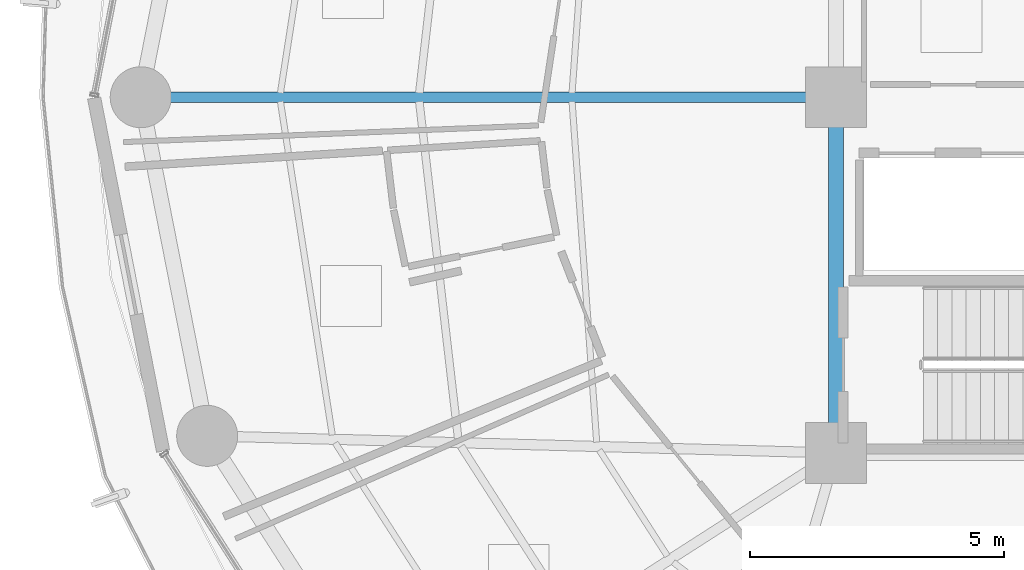
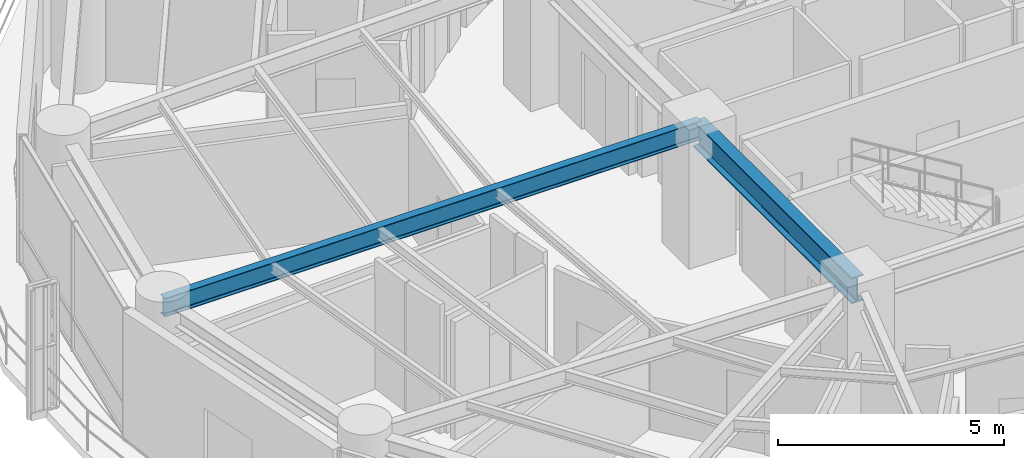
# One storey, part 7 of 27: 2 beams.
"""IFC4 building model written with IfcOpenShell, lengths in metres."""

from ifc_helpers import new_model, si_unit, direction, frame, origin, origin_2d, place, context, subcontext, project, spatial, i_section, extrude, material, material_profile, profile_set, type_object, element, save


model = new_model("IFC4")

# Units and contexts
model_context = context("Model", 3, precision=1e-05, world=origin(), true_north=direction((0.0, 1.0)))
body_context = subcontext(model_context, "Body", "Model", "MODEL_VIEW")
ifc_project = project(units=[si_unit("LENGTHUNIT", "METRE"), si_unit("AREAUNIT", "SQUARE_METRE"), si_unit("VOLUMEUNIT", "CUBIC_METRE"), si_unit("PLANEANGLEUNIT", "RADIAN"), si_unit("MASSUNIT", "GRAM", prefix="KILO")], contexts=[model_context])

# Site, building, storey
site_placement = place(None, origin())
site = spatial("IfcSite", under=ifc_project, at=site_placement, CompositionType="ELEMENT")
building_placement = place(site_placement, origin())
building = spatial("IfcBuilding", under=site, at=building_placement, Name="Kelanora Arch Commons", CompositionType="ELEMENT")
storey_placement = place(building_placement, frame((0.0, 0.0, 150.60009765625)))
storey = spatial("IfcBuildingStorey", under=building, at=storey_placement, Name="L38", CompositionType="ELEMENT", Elevation=150.60009765625)

# Beams
ifc_material = material(Name="Steel S355", Category="steel")
ifc_material_profile_1 = material_profile(ifc_material, i_section(OverallWidth=0.300048828125, OverallDepth=0.699951171875, WebThickness=0.01708984375, FlangeThickness=0.031982421875, FilletRadius=0.027099609375, at=origin_2d()), Name="HEB700")
ifc_profile_set_1 = profile_set([ifc_material_profile_1], Name="Steel S355")
beam_type_1 = type_object("IfcBeamType", Name="BM-CORE-HDR", PredefinedType="BEAM", material=ifc_profile_set_1)
beam_1_placement = place(storey_placement, frame((66.0, 58.0, 3.139892578125), z_axis=(0.0, -1.0, 0.0), x_axis=(1.0, 0.0, 0.0)))
element("IfcBeam", 1, at=beam_1_placement, inside=storey, type_object=beam_type_1, Name="Core Header Beam 09 L38", PredefinedType="BEAM", context=body_context, shape_type="SweptSolid", body=[
    extrude(i_section(OverallWidth=0.300048828125, OverallDepth=0.699951171875, WebThickness=0.01708984375, FlangeThickness=0.031982421875, FilletRadius=0.027099609375, at=origin_2d()), origin(), (0.0, 0.0, 1.0), 7.0),
])
ifc_material_profile_2 = material_profile(ifc_material, i_section(OverallWidth=0.199951171875, OverallDepth=0.5, WebThickness=0.01025390625, FlangeThickness=0.01611328125, FilletRadius=0.02099609375, at=origin_2d()), Name="IPE500")
ifc_profile_set_2 = profile_set([ifc_material_profile_2], Name="Steel S355")
beam_type_2 = type_object("IfcBeamType", Name="BM-RAD-Z3", PredefinedType="BEAM", material=ifc_profile_set_2)
beam_2_placement = place(storey_placement, frame((66.0, 58.0, 3.239990234375), z_axis=(-1.0, 0.0, 0.0), x_axis=(0.0, -1.0, 0.0)))
element("IfcBeam", 2, at=beam_2_placement, inside=storey, type_object=beam_type_2, Name="Radial Floor Girder BR-18 L38", PredefinedType="BEAM", context=body_context, shape_type="SweptSolid", body=[
    extrude(i_section(OverallWidth=0.199951171875, OverallDepth=0.5, WebThickness=0.01025390625, FlangeThickness=0.01611328125, FilletRadius=0.02099609375, at=origin_2d()), origin(), (0.0, 0.0, 1.0), 13.679931640625),
])

save(model, "model.ifc")
